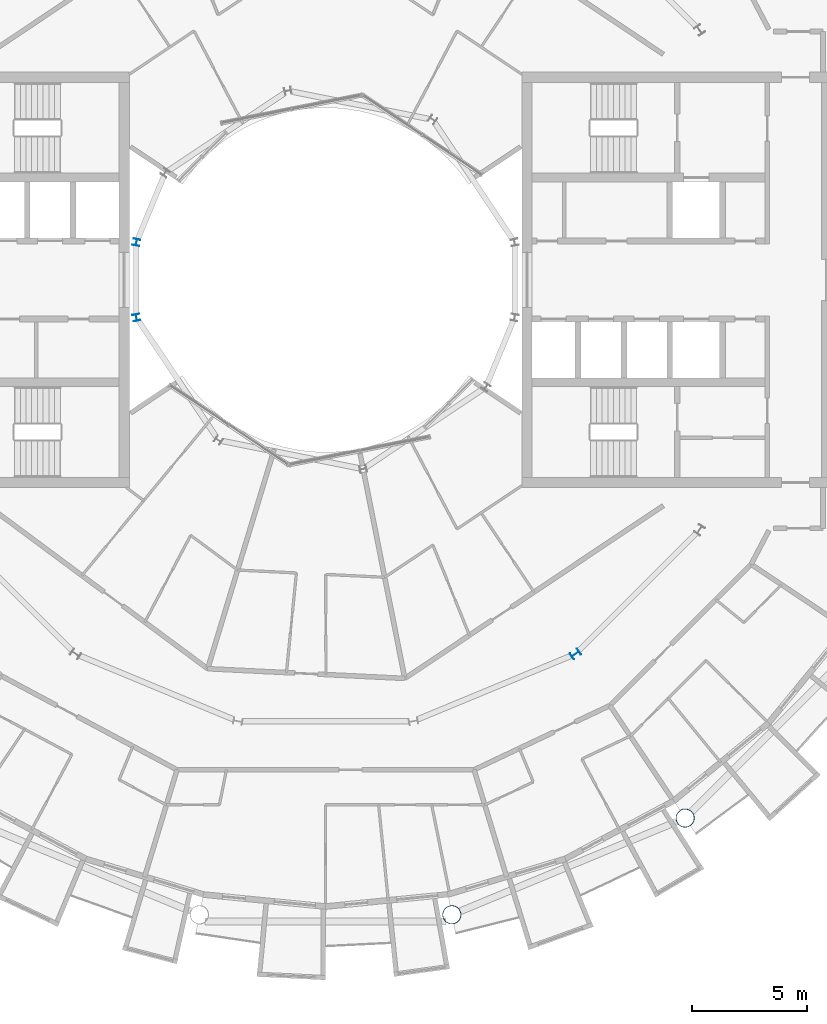
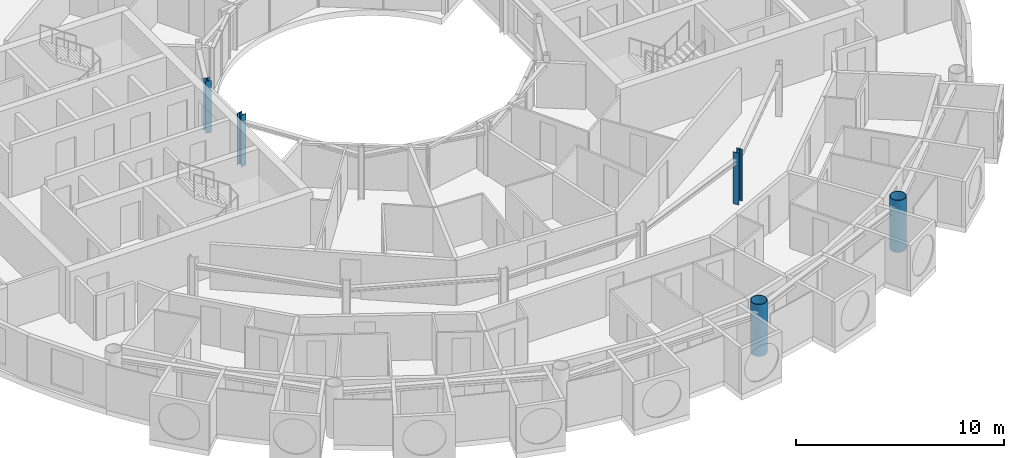
# One storey, part 2 of 28: 5 columns.
"""IFC4 building model written with IfcOpenShell, lengths in metres."""

from ifc_helpers import new_model, si_unit, direction, frame, origin, origin_2d, place, context, subcontext, project, spatial, hollow_circle, i_section, extrude, material, material_profile, profile_set, type_object, element, save


model = new_model("IFC4")

# Units and contexts
model_context = context("Model", 3, precision=1e-05, world=origin(), true_north=direction((0.0, 1.0)))
body_context = subcontext(model_context, "Body", "Model", "MODEL_VIEW")
ifc_project = project(units=[si_unit("LENGTHUNIT", "METRE"), si_unit("AREAUNIT", "SQUARE_METRE"), si_unit("VOLUMEUNIT", "CUBIC_METRE"), si_unit("PLANEANGLEUNIT", "RADIAN"), si_unit("MASSUNIT", "GRAM", prefix="KILO")], contexts=[model_context])

# Site, building, storey
site_placement = place(None, origin())
site = spatial("IfcSite", under=ifc_project, at=site_placement, CompositionType="ELEMENT")
building_placement = place(site_placement, origin())
building = spatial("IfcBuilding", under=site, at=building_placement, Name="Maasbend Ring Residences", CompositionType="ELEMENT")
storey_placement = place(building_placement, frame((0.0, 0.0, 218.800048828125)))
storey = spatial("IfcBuildingStorey", under=building, at=storey_placement, Name="L63", CompositionType="ELEMENT", Elevation=218.800048828125)

# Columns
ifc_material_1 = material(Name="Composite concrete-filled steel tube S460NH / C80/95", Category="concrete")
ifc_material_profile_1 = material_profile(ifc_material_1, hollow_circle(Radius=0.406494140625, WallThickness=0.030029296875, at=origin_2d()), Name="Composite tube column CHS 813x30")
ifc_profile_set_1 = profile_set([ifc_material_profile_1], Name="Composite concrete-filled steel tube S460NH / C80/95")
column_type_1 = type_object("IfcColumnType", Name="Composite tube column CHS 813x30", PredefinedType="COLUMN", material=ifc_profile_set_1)
for number, where, z_axis, x_axis, name in (
    (1, (5.50146484375, -27.658203125, 0.0), (0.0, 0.0, 1.0), (1.0, 0.0, 0.0), "Outer column R13"),
    (2, (15.6669921875, -23.447509765625, 0.0), (0.0, 0.0, 1.0), (1.0, 0.0, 0.0), "Outer column R14"),
):
    element("IfcColumn", number, at=place(storey_placement, frame(where, z_axis=z_axis, x_axis=x_axis)), inside=storey, type_object=column_type_1, Name=name, PredefinedType="COLUMN", context=body_context, shape_type="SweptSolid", body=[
        extrude(hollow_circle(Radius=0.406494140625, WallThickness=0.030029296875, at=origin_2d()), origin(), (0.0, 0.0, 1.0), 3.050048828125),
    ])
ifc_material_2 = material(Name="Steel S355J2", Category="steel")
ifc_material_profile_2 = material_profile(ifc_material_2, i_section(OverallWidth=0.300048828125, OverallDepth=0.2900390625, WebThickness=0.008544921875, FlangeThickness=0.013916015625, FilletRadius=0.027099609375, at=origin_2d()), Name="HEA 300")
ifc_profile_set_2 = profile_set([ifc_material_profile_2], Name="Steel S355J2")
column_type_2 = type_object("IfcColumnType", Name="Steel column HEA 300", PredefinedType="COLUMN", material=ifc_profile_set_2)
for number, where, z_axis, x_axis, name in (
    (3, (-8.238525390625, 1.638916015625, 0.0), (0.0, 0.0, 1.0), (-0.980785280403, 0.195090322016, 0.0), "Well ring column R8"),
    (4, (-8.238525390625, -1.638916015625, 0.0), (0.0, 0.0, 1.0), (-0.980785280403, -0.195090322016, 0.0), "Well ring column R9"),
):
    element("IfcColumn", number, at=place(storey_placement, frame(where, z_axis=z_axis, x_axis=x_axis)), inside=storey, type_object=column_type_2, Name=name, PredefinedType="COLUMN", context=body_context, shape_type="SweptSolid", body=[
        extrude(i_section(OverallWidth=0.300048828125, OverallDepth=0.2900390625, WebThickness=0.008544921875, FlangeThickness=0.013916015625, FilletRadius=0.027099609375, at=origin_2d()), origin(), (0.0, 0.0, 1.0), 3.050048828125),
    ])
ifc_material_3 = material(Name="Steel S355J2", Category="steel")
ifc_material_profile_3 = material_profile(ifc_material_3, i_section(OverallWidth=0.300048828125, OverallDepth=0.39990234375, WebThickness=0.013427734375, FlangeThickness=0.02392578125, FilletRadius=0.027099609375, at=origin_2d()), Name="HEB 400")
ifc_profile_set_3 = profile_set([ifc_material_profile_3], Name="Steel S355J2")
column_type_3 = type_object("IfcColumnType", Name="Steel column HEB 400", PredefinedType="COLUMN", material=ifc_profile_set_3)
column_placement = place(storey_placement, frame((10.88916015625, -16.296875, 0.0), z_axis=(0.0, 0.0, 1.0), x_axis=(0.55557023302, -0.831469612303, 0.0)))
element("IfcColumn", 5, at=column_placement, inside=storey, type_object=column_type_3, Name="Corridor ring column R14", PredefinedType="COLUMN", context=body_context, shape_type="SweptSolid", body=[
    extrude(i_section(OverallWidth=0.300048828125, OverallDepth=0.39990234375, WebThickness=0.013427734375, FlangeThickness=0.02392578125, FilletRadius=0.027099609375, at=origin_2d()), origin(), (0.0, 0.0, 1.0), 3.050048828125),
])

save(model, "model.ifc")
